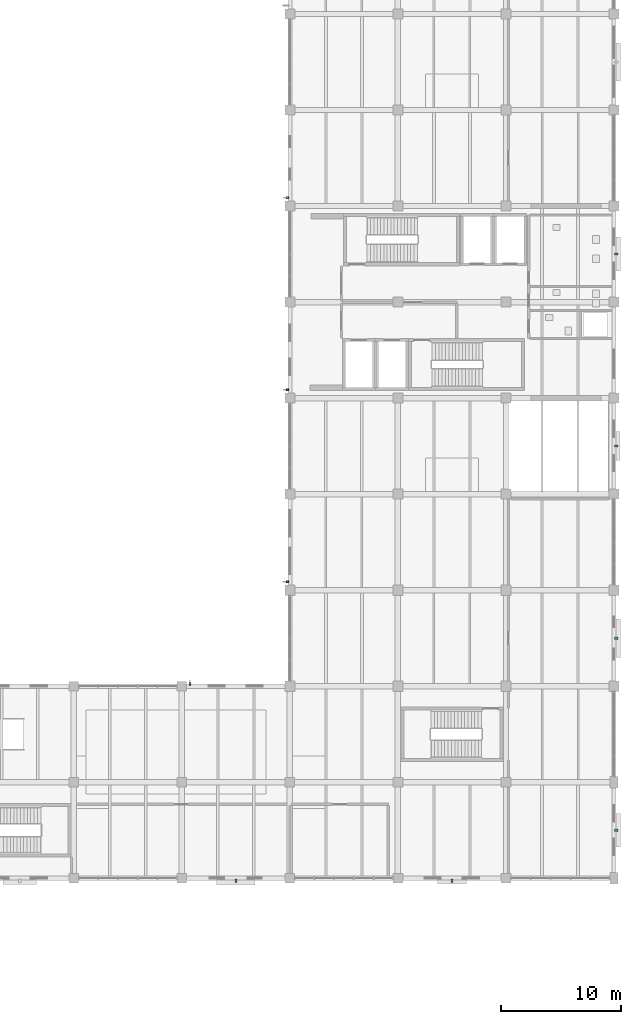
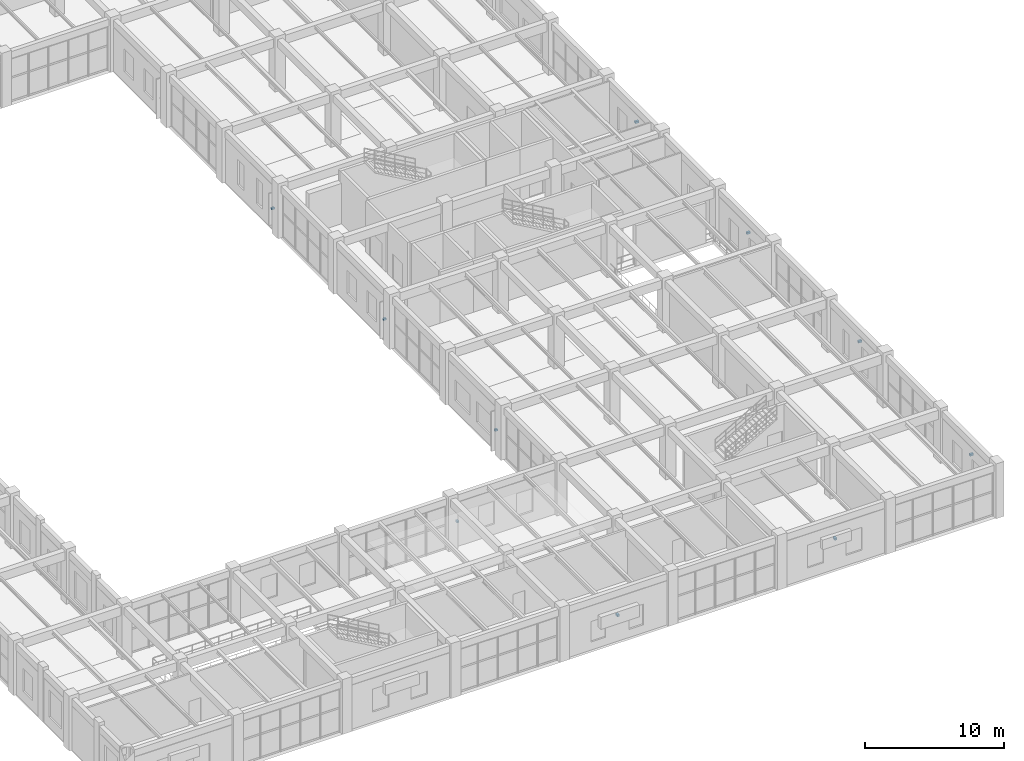
# One storey, part 167 of 178: 10 discrete accessories.
"""IFC4 building model written with IfcOpenShell, lengths in metres."""

from ifc_helpers import new_model, si_unit, derived_unit, direction, frame, origin, origin_2d, place, context, subcontext, project, spatial, rectangle, extrude, material, type_object, element, save


model = new_model("IFC4")

# Units and contexts
model_context = context("Model", 3, precision=1e-05, world=origin(), true_north=direction((0.0, 1.0)))
body_context = subcontext(model_context, "Body", "Model", "MODEL_VIEW")
ifc_project = project(units=[si_unit("LENGTHUNIT", "METRE"), si_unit("AREAUNIT", "SQUARE_METRE"), si_unit("VOLUMEUNIT", "CUBIC_METRE"), si_unit("PLANEANGLEUNIT", "RADIAN"), si_unit("MASSUNIT", "GRAM", prefix="KILO"), derived_unit("THERMALTRANSMITTANCEUNIT", [(si_unit("MASSUNIT", "GRAM", prefix="KILO"), 1), (si_unit("TIMEUNIT", "SECOND"), -3), (si_unit("THERMODYNAMICTEMPERATUREUNIT", "KELVIN"), -1)])], contexts=[model_context])

# Site, building, storey
site_placement = place(None, origin())
site = spatial("IfcSite", under=ifc_project, at=site_placement, CompositionType="ELEMENT")
building_placement = place(site_placement, origin())
building = spatial("IfcBuilding", under=site, at=building_placement, Name="Zhenchuan Archway Interchange", CompositionType="ELEMENT")
storey_placement = place(building_placement, frame((0.0, 0.0, 5.39990234375)))
storey = spatial("IfcBuildingStorey", under=building, at=storey_placement, Name="L01", CompositionType="ELEMENT", Elevation=5.39990234375)

# Discrete accessories
ifc_material = material(Name="Stainless Steel 316", Category="steel")
discrete_accessory_type_1 = type_object("IfcDiscreteAccessoryType", Name="BRK_SHD_1", PredefinedType="BRACKET", material=ifc_material)
for number, where, z_axis, x_axis, name in (
    (1, (143.800048828125, 48.702880859375, 1.85009765625), (0.0, 0.0, 1.0), (0.0, 1.0, 0.0), "Solar fin stainless fixing bracket L01-057"),
    (2, (143.800048828125, 64.702880859375, 1.85009765625), (0.0, 0.0, 1.0), (0.0, 1.0, 0.0), "Solar fin stainless fixing bracket L01-058"),
    (3, (135.677978515625, 24.199951171875, 1.85009765625), (0.0, 0.0, 1.0), (1.0, 0.0, 0.0), "Solar fin stainless fixing bracket L01-067"),
    (4, (143.800048828125, 32.702880859375, 1.85009765625), (0.0, 0.0, 1.0), (0.0, 1.0, 0.0), "Solar fin stainless fixing bracket L01-068"),
):
    element("IfcDiscreteAccessory", number, at=place(storey_placement, frame(where, z_axis=z_axis, x_axis=x_axis)), inside=storey, type_object=discrete_accessory_type_1, Name=name, PredefinedType="BRACKET", context=body_context, shape_type="SweptSolid", body=[
        extrude(rectangle(XDim=0.159912109375, YDim=0.239990234375, at=origin_2d()), origin(), (0.0, 0.0, 1.0), 0.159912109375),
    ])
discrete_accessory_type_2 = type_object("IfcDiscreteAccessoryType", Name="BRK_SHD_2", PredefinedType="BRACKET", material=ifc_material)
for number, where, z_axis, x_axis, name in (
    (5, (171.199951171875, 60.0, 2.66015625), (0.0, 0.0, 1.0), (0.0, -1.0, 0.0), "Storm-louvre stainless fixing bracket L01-042"),
    (6, (171.199951171875, 44.0, 2.66015625), (0.0, 0.0, 1.0), (0.0, -1.0, 0.0), "Storm-louvre stainless fixing bracket L01-043"),
    (7, (171.199951171875, 28.0, 2.8603515625), (0.0, 0.0, 1.0), (0.0, -1.0, 0.0), "Storm-louvre stainless fixing bracket L01-044"),
    (8, (171.199951171875, 12.0, 2.66015625), (0.0, 0.0, 1.0), (0.0, -1.0, 0.0), "Storm-louvre stainless fixing bracket L01-045"),
    (9, (157.5, 7.800048828125, 2.66015625), (0.0, 0.0, 1.0), (-1.0, 0.0, 0.0), "Storm-louvre stainless fixing bracket L01-046"),
    (10, (139.5, 7.800048828125, 2.26025390625), (0.0, 0.0, 1.0), (-1.0, 0.0, 0.0), "Storm-louvre stainless fixing bracket L01-047"),
):
    element("IfcDiscreteAccessory", number, at=place(storey_placement, frame(where, z_axis=z_axis, x_axis=x_axis)), inside=storey, type_object=discrete_accessory_type_2, Name=name, PredefinedType="BRACKET", context=body_context, shape_type="SweptSolid", body=[
        extrude(rectangle(XDim=0.179931640625, YDim=0.280029296875, at=origin_2d()), origin(), (0.0, 0.0, 1.0), 0.179931640625),
    ])

save(model, "model.ifc")
